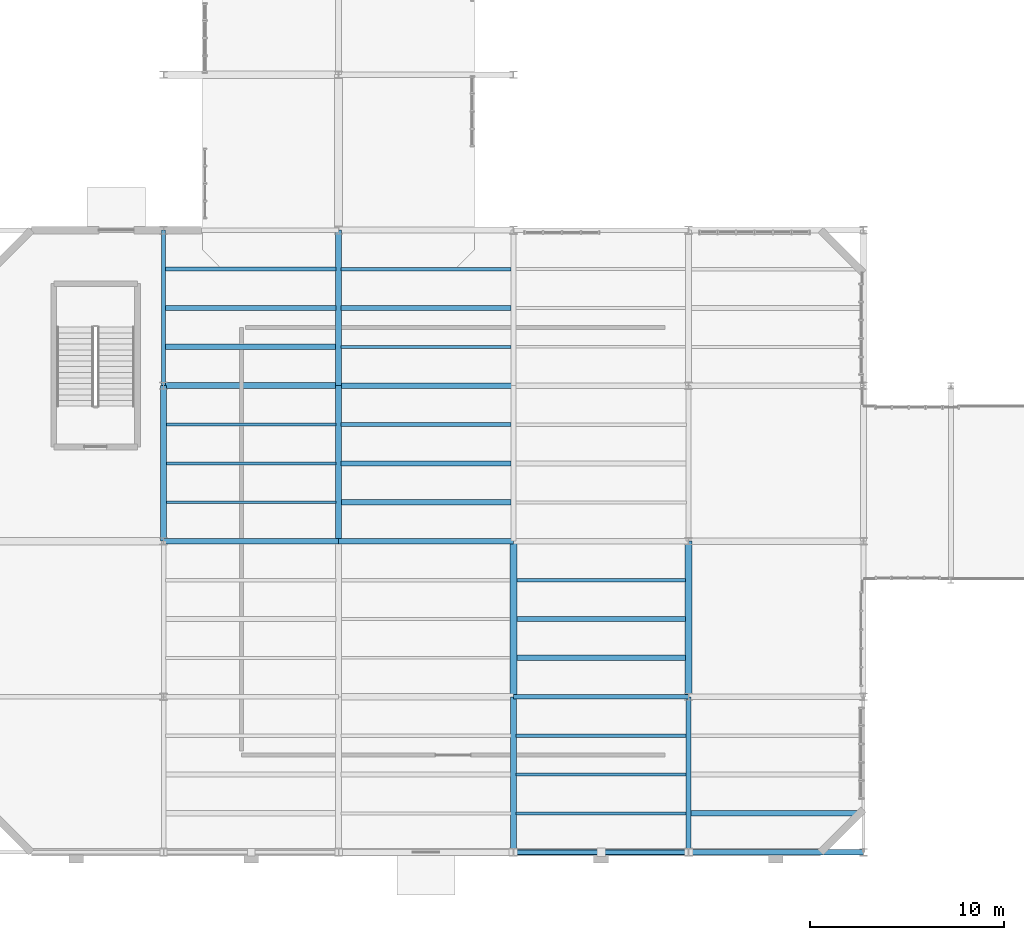
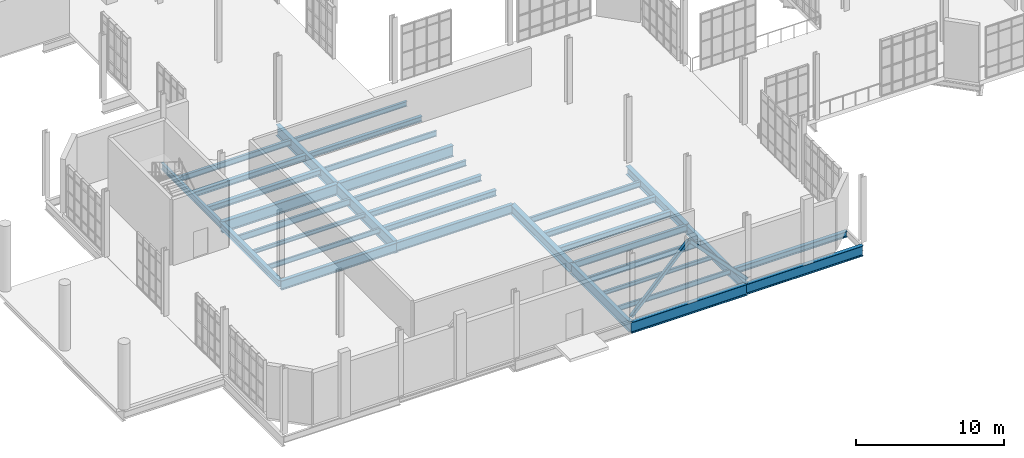
# One storey, part 20 of 189: 34 beams, 2 members.
"""IFC4 building model written with IfcOpenShell, lengths in metres."""

from ifc_helpers import new_model, si_unit, direction, frame, origin, origin_2d, place, context, subcontext, project, spatial, hollow_rectangle, i_section, extrude, material, material_profile, profile_set, type_object, element, save


model = new_model("IFC4")

# Units and contexts
model_context = context("Model", 3, precision=1e-05, world=origin(), true_north=direction((0.0, 1.0)))
body_context = subcontext(model_context, "Body", "Model", "MODEL_VIEW")
ifc_project = project(units=[si_unit("LENGTHUNIT", "METRE"), si_unit("AREAUNIT", "SQUARE_METRE"), si_unit("VOLUMEUNIT", "CUBIC_METRE"), si_unit("PLANEANGLEUNIT", "RADIAN"), si_unit("MASSUNIT", "GRAM", prefix="KILO"), si_unit("THERMODYNAMICTEMPERATUREUNIT", "KELVIN"), si_unit("POWERUNIT", "WATT")], contexts=[model_context])

# Site, building, storey
site_placement = place(None, origin())
site = spatial("IfcSite", under=ifc_project, at=site_placement, CompositionType="ELEMENT")
building_placement = place(site_placement, origin())
building = spatial("IfcBuilding", under=site, at=building_placement, Name="Zelmaris Science Centre", CompositionType="ELEMENT")
storey_placement = place(building_placement, origin())
storey = spatial("IfcBuildingStorey", under=building, at=storey_placement, Name="L00", CompositionType="ELEMENT", Elevation=0.0)

# Beams
ifc_material_1 = material(Name="Steel ASTM A992 Grade 50", Category="steel")
ifc_material_profile_1 = material_profile(ifc_material_1, i_section(OverallWidth=0.306884765625, OverallDepth=0.927001953125, WebThickness=0.019287109375, FlangeThickness=0.031982421875, FilletRadius=0.02392578125, at=origin_2d()), Name="W36X194")
ifc_profile_set_1 = profile_set([ifc_material_profile_1], Name="Steel ASTM A992 Grade 50")
beam_type_1 = type_object("IfcBeamType", Name="Beam G-03 W36X194", PredefinedType="BEAM", material=ifc_profile_set_1)
beam_1_placement = place(storey_placement, frame((18.0, 32.0, -0.7734375), z_axis=(1.0, 0.0, 0.0), x_axis=(0.0, 1.0, 0.0)))
element("IfcBeam", 1, at=beam_1_placement, inside=storey, type_object=beam_type_1, Name="L00 East-west girder 124", PredefinedType="BEAM", context=body_context, shape_type="SweptSolid", body=[
    extrude(i_section(OverallWidth=0.306884765625, OverallDepth=0.927001953125, WebThickness=0.019287109375, FlangeThickness=0.031982421875, FilletRadius=0.02392578125, at=origin_2d()), origin(), (0.0, 0.0, 1.0), 9.0),
])
ifc_material_profile_2 = material_profile(ifc_material_1, i_section(OverallWidth=0.304931640625, OverallDepth=0.9140625, WebThickness=0.0166015625, FlangeThickness=0.02587890625, FilletRadius=0.02392578125, at=origin_2d()), Name="W36X160")
ifc_profile_set_2 = profile_set([ifc_material_profile_2], Name="Steel ASTM A992 Grade 50")
beam_type_2 = type_object("IfcBeamType", Name="Beam G-04 W36X160", PredefinedType="BEAM", material=ifc_profile_set_2)
for number, where, z_axis, x_axis, name in (
    (2, (36.0, 8.0, -0.76708984375), (1.0, 0.0, 0.0), (0.0, 1.0, 0.0), "L00 East-west girder 94"),
    (3, (27.0, 32.0, -0.76708984375), (1.0, 0.0, 0.0), (0.0, 1.0, 0.0), "L00 East-west girder 125"),
):
    element("IfcBeam", number, at=place(storey_placement, frame(where, z_axis=z_axis, x_axis=x_axis)), inside=storey, type_object=beam_type_2, Name=name, PredefinedType="BEAM", context=body_context, shape_type="SweptSolid", body=[
        extrude(i_section(OverallWidth=0.304931640625, OverallDepth=0.9140625, WebThickness=0.0166015625, FlangeThickness=0.02587890625, FilletRadius=0.02392578125, at=origin_2d()), origin(), (0.0, 0.0, 1.0), 9.0),
    ])
ifc_material_profile_3 = material_profile(ifc_material_1, i_section(OverallWidth=0.294921875, OverallDepth=0.85107421875, WebThickness=0.01611328125, FlangeThickness=0.02685546875, FilletRadius=0.02001953125, at=origin_2d()), Name="W33X152")
ifc_profile_set_3 = profile_set([ifc_material_profile_3], Name="Steel ASTM A992 Grade 50")
beam_type_3 = type_object("IfcBeamType", Name="Beam G-06 W33X152", PredefinedType="BEAM", material=ifc_profile_set_3)
beam_2_placement = place(storey_placement, frame((45.0, 8.0, -0.735595703125), z_axis=(1.0, 0.0, 0.0), x_axis=(0.0, 1.0, 0.0)))
element("IfcBeam", 4, at=beam_2_placement, inside=storey, type_object=beam_type_3, Name="L00 East-west girder 95", PredefinedType="BEAM", context=body_context, shape_type="SweptSolid", body=[
    extrude(i_section(OverallWidth=0.294921875, OverallDepth=0.85107421875, WebThickness=0.01611328125, FlangeThickness=0.02685546875, FilletRadius=0.02001953125, at=origin_2d()), origin(), (0.0, 0.0, 1.0), 9.0),
])
ifc_material_profile_4 = material_profile(ifc_material_1, i_section(OverallWidth=0.31201171875, OverallDepth=0.5439453125, WebThickness=0.0126953125, FlangeThickness=0.020263671875, FilletRadius=0.013916015625, at=origin_2d()), Name="W21X101")
ifc_profile_set_4 = profile_set([ifc_material_profile_4], Name="Steel ASTM A992 Grade 50")
beam_type_4 = type_object("IfcBeamType", Name="Beam G-18 W21X101", PredefinedType="BEAM", material=ifc_profile_set_4)
beam_3_placement = place(storey_placement, frame((18.0, 24.0, -0.58203125), z_axis=(0.0, 1.0, 0.0), x_axis=(-1.0, 0.0, 0.0)))
element("IfcBeam", 5, at=beam_3_placement, inside=storey, type_object=beam_type_4, Name="L00 North-south girder 11", PredefinedType="BEAM", context=body_context, shape_type="SweptSolid", body=[
    extrude(i_section(OverallWidth=0.31201171875, OverallDepth=0.5439453125, WebThickness=0.0126953125, FlangeThickness=0.020263671875, FilletRadius=0.013916015625, at=origin_2d()), origin(), (0.0, 0.0, 1.0), 8.0),
])
ifc_material_profile_5 = material_profile(ifc_material_1, i_section(OverallWidth=0.2109375, OverallDepth=0.5380859375, WebThickness=0.01171875, FlangeThickness=0.018798828125, FilletRadius=0.013916015625, at=origin_2d()), Name="W21X73")
ifc_profile_set_5 = profile_set([ifc_material_profile_5], Name="Steel ASTM A992 Grade 50")
beam_type_5 = type_object("IfcBeamType", Name="Beam G-19 W21X73", PredefinedType="BEAM", material=ifc_profile_set_5)
beam_4_placement = place(storey_placement, frame((18.0, 32.0, -0.5791015625), z_axis=(0.0, 1.0, 0.0), x_axis=(-1.0, 0.0, 0.0)))
element("IfcBeam", 6, at=beam_4_placement, inside=storey, type_object=beam_type_5, Name="L00 North-south girder 12", PredefinedType="BEAM", context=body_context, shape_type="SweptSolid", body=[
    extrude(i_section(OverallWidth=0.2109375, OverallDepth=0.5380859375, WebThickness=0.01171875, FlangeThickness=0.018798828125, FilletRadius=0.013916015625, at=origin_2d()), origin(), (0.0, 0.0, 1.0), 8.0),
])
beam_5_placement = place(storey_placement, frame((36.0, 16.0, -0.5791015625), z_axis=(1.0, 0.0, 0.0), x_axis=(0.0, 1.0, 0.0)))
element("IfcBeam", 7, at=beam_5_placement, inside=storey, type_object=beam_type_5, Name="L00 East-west girder 105", PredefinedType="BEAM", context=body_context, shape_type="SweptSolid", body=[
    extrude(i_section(OverallWidth=0.2109375, OverallDepth=0.5380859375, WebThickness=0.01171875, FlangeThickness=0.018798828125, FilletRadius=0.013916015625, at=origin_2d()), origin(), (0.0, 0.0, 1.0), 9.0),
])
ifc_material_profile_6 = material_profile(ifc_material_1, i_section(OverallWidth=0.304931640625, OverallDepth=0.9189453125, WebThickness=0.017333984375, FlangeThickness=0.02783203125, FilletRadius=0.02392578125, at=origin_2d()), Name="W36X170")
ifc_profile_set_6 = profile_set([ifc_material_profile_6], Name="Steel ASTM A992 Grade 50")
beam_type_6 = type_object("IfcBeamType", Name="Beam G-26 W36X170", PredefinedType="BEAM", material=ifc_profile_set_6)
beam_6_placement = place(storey_placement, frame((27.0, 24.0, -0.76953125), z_axis=(0.0, 1.0, 0.0), x_axis=(-1.0, 0.0, 0.0)))
element("IfcBeam", 8, at=beam_6_placement, inside=storey, type_object=beam_type_6, Name="L00 North-south girder 15", PredefinedType="BEAM", context=body_context, shape_type="SweptSolid", body=[
    extrude(i_section(OverallWidth=0.304931640625, OverallDepth=0.9189453125, WebThickness=0.017333984375, FlangeThickness=0.02783203125, FilletRadius=0.02392578125, at=origin_2d()), origin(), (0.0, 0.0, 1.0), 8.0),
])
ifc_material_profile_7 = material_profile(ifc_material_1, i_section(OverallWidth=0.304931640625, OverallDepth=0.912109375, WebThickness=0.015869140625, FlangeThickness=0.02392578125, FilletRadius=0.02392578125, at=origin_2d()), Name="W36X150")
ifc_profile_set_7 = profile_set([ifc_material_profile_7], Name="Steel ASTM A992 Grade 50")
beam_type_7 = type_object("IfcBeamType", Name="Beam G-27 W36X150", PredefinedType="BEAM", material=ifc_profile_set_7)
beam_7_placement = place(storey_placement, frame((27.0, 32.0, -0.76611328125), z_axis=(0.0, 1.0, 0.0), x_axis=(-1.0, 0.0, 0.0)))
element("IfcBeam", 9, at=beam_7_placement, inside=storey, type_object=beam_type_7, Name="L00 North-south girder 16", PredefinedType="BEAM", context=body_context, shape_type="SweptSolid", body=[
    extrude(i_section(OverallWidth=0.304931640625, OverallDepth=0.912109375, WebThickness=0.015869140625, FlangeThickness=0.02392578125, FilletRadius=0.02392578125, at=origin_2d()), origin(), (0.0, 0.0, 1.0), 8.0),
])
ifc_material_profile_8 = material_profile(ifc_material_1, i_section(OverallWidth=0.2919921875, OverallDepth=0.8359375, WebThickness=0.013916015625, FlangeThickness=0.018798828125, FilletRadius=0.02001953125, at=origin_2d()), Name="W33X118")
ifc_profile_set_8 = profile_set([ifc_material_profile_8], Name="Steel ASTM A992 Grade 50")
beam_type_8 = type_object("IfcBeamType", Name="Beam G-30 W33X118", PredefinedType="BEAM", material=ifc_profile_set_8)
beam_8_placement = place(storey_placement, frame((36.0, 8.0, -0.72802734375), z_axis=(0.0, 1.0, 0.0), x_axis=(-1.0, 0.0, 0.0)))
element("IfcBeam", 10, at=beam_8_placement, inside=storey, type_object=beam_type_8, Name="L00 North-south girder 19", PredefinedType="BEAM", context=body_context, shape_type="SweptSolid", body=[
    extrude(i_section(OverallWidth=0.2919921875, OverallDepth=0.8359375, WebThickness=0.013916015625, FlangeThickness=0.018798828125, FilletRadius=0.02001953125, at=origin_2d()), origin(), (0.0, 0.0, 1.0), 8.0),
])
ifc_material_profile_9 = material_profile(ifc_material_1, i_section(OverallWidth=0.381103515625, OverallDepth=0.777099609375, WebThickness=0.01806640625, FlangeThickness=0.030029296875, FilletRadius=0.01904296875, at=origin_2d()), Name="W30X191")
ifc_profile_set_9 = profile_set([ifc_material_profile_9], Name="Steel ASTM A992 Grade 50")
beam_type_9 = type_object("IfcBeamType", Name="Beam G-31 W30X191", PredefinedType="BEAM", material=ifc_profile_set_9)
beam_9_placement = place(storey_placement, frame((36.0, 16.0, -0.698486328125), z_axis=(0.0, 1.0, 0.0), x_axis=(-1.0, 0.0, 0.0)))
element("IfcBeam", 11, at=beam_9_placement, inside=storey, type_object=beam_type_9, Name="L00 North-south girder 20", PredefinedType="BEAM", context=body_context, shape_type="SweptSolid", body=[
    extrude(i_section(OverallWidth=0.381103515625, OverallDepth=0.777099609375, WebThickness=0.01806640625, FlangeThickness=0.030029296875, FilletRadius=0.01904296875, at=origin_2d()), origin(), (0.0, 0.0, 1.0), 8.0),
])
ifc_material_profile_10 = material_profile(ifc_material_1, i_section(OverallWidth=0.26708984375, OverallDepth=0.780029296875, WebThickness=0.0166015625, FlangeThickness=0.030029296875, FilletRadius=0.01904296875, at=origin_2d()), Name="W30X148")
ifc_profile_set_10 = profile_set([ifc_material_profile_10], Name="Steel ASTM A992 Grade 50")
beam_type_10 = type_object("IfcBeamType", Name="Beam G-32 W30X148", PredefinedType="BEAM", material=ifc_profile_set_10)
beam_10_placement = place(storey_placement, frame((18.0, 24.0, -0.699951171875), z_axis=(1.0, 0.0, 0.0), x_axis=(0.0, 1.0, 0.0)))
element("IfcBeam", 12, at=beam_10_placement, inside=storey, type_object=beam_type_10, Name="L00 East-west girder 114", PredefinedType="BEAM", context=body_context, shape_type="SweptSolid", body=[
    extrude(i_section(OverallWidth=0.26708984375, OverallDepth=0.780029296875, WebThickness=0.0166015625, FlangeThickness=0.030029296875, FilletRadius=0.01904296875, at=origin_2d()), origin(), (0.0, 0.0, 1.0), 9.0),
])
ifc_material_profile_11 = material_profile(ifc_material_1, i_section(OverallWidth=0.26708984375, OverallDepth=0.761962890625, WebThickness=0.014404296875, FlangeThickness=0.021484375, FilletRadius=0.01904296875, at=origin_2d()), Name="W30X116")
ifc_profile_set_11 = profile_set([ifc_material_profile_11], Name="Steel ASTM A992 Grade 50")
beam_type_11 = type_object("IfcBeamType", Name="Beam G-33 W30X116", PredefinedType="BEAM", material=ifc_profile_set_11)
beam_11_placement = place(storey_placement, frame((27.0, 24.0, -0.69091796875), z_axis=(1.0, 0.0, 0.0), x_axis=(0.0, 1.0, 0.0)))
element("IfcBeam", 13, at=beam_11_placement, inside=storey, type_object=beam_type_11, Name="L00 East-west girder 115", PredefinedType="BEAM", context=body_context, shape_type="SweptSolid", body=[
    extrude(i_section(OverallWidth=0.26708984375, OverallDepth=0.761962890625, WebThickness=0.014404296875, FlangeThickness=0.021484375, FilletRadius=0.01904296875, at=origin_2d()), origin(), (0.0, 0.0, 1.0), 9.0),
])
ifc_material_profile_12 = material_profile(ifc_material_1, i_section(OverallWidth=0.26708984375, OverallDepth=0.75390625, WebThickness=0.01318359375, FlangeThickness=0.01708984375, FilletRadius=0.01904296875, at=origin_2d()), Name="W30X99")
ifc_profile_set_12 = profile_set([ifc_material_profile_12], Name="Steel ASTM A992 Grade 50")
beam_type_12 = type_object("IfcBeamType", Name="Beam G-34 W30X99", PredefinedType="BEAM", material=ifc_profile_set_12)
beam_12_placement = place(storey_placement, frame((45.0, 8.0, -0.68701171875), z_axis=(0.0, 1.0, 0.0), x_axis=(-1.0, 0.0, 0.0)))
element("IfcBeam", 14, at=beam_12_placement, inside=storey, type_object=beam_type_12, Name="L00 North-south girder 23", PredefinedType="BEAM", context=body_context, shape_type="SweptSolid", body=[
    extrude(i_section(OverallWidth=0.26708984375, OverallDepth=0.75390625, WebThickness=0.01318359375, FlangeThickness=0.01708984375, FilletRadius=0.01904296875, at=origin_2d()), origin(), (0.0, 0.0, 1.0), 8.0),
])
ifc_material_profile_13 = material_profile(ifc_material_1, i_section(OverallWidth=0.35595703125, OverallDepth=0.700927734375, WebThickness=0.016845703125, FlangeThickness=0.02734375, FilletRadius=0.01806640625, at=origin_2d()), Name="W27X161")
ifc_profile_set_13 = profile_set([ifc_material_profile_13], Name="Steel ASTM A992 Grade 50")
beam_type_13 = type_object("IfcBeamType", Name="Beam G-35 W27X161", PredefinedType="BEAM", material=ifc_profile_set_13)
beam_13_placement = place(storey_placement, frame((45.0, 16.0, -0.660400390625), z_axis=(0.0, 1.0, 0.0), x_axis=(-1.0, 0.0, 0.0)))
element("IfcBeam", 15, at=beam_13_placement, inside=storey, type_object=beam_type_13, Name="L00 North-south girder 24", PredefinedType="BEAM", context=body_context, shape_type="SweptSolid", body=[
    extrude(i_section(OverallWidth=0.35595703125, OverallDepth=0.700927734375, WebThickness=0.016845703125, FlangeThickness=0.02734375, FilletRadius=0.01806640625, at=origin_2d()), origin(), (0.0, 0.0, 1.0), 8.0),
])
ifc_material_profile_14 = material_profile(ifc_material_1, i_section(OverallWidth=0.16796875, OverallDepth=0.532958984375, WebThickness=0.01025390625, FlangeThickness=0.0166015625, FilletRadius=0.013916015625, at=origin_2d()), Name="W21X57")
ifc_profile_set_14 = profile_set([ifc_material_profile_14], Name="Steel ASTM A992 Grade 50")
beam_type_14 = type_object("IfcBeamType", Name="Beam J-01 W21X57", PredefinedType="JOIST", material=ifc_profile_set_14)
beam_14_placement = place(storey_placement, frame((18.14111328125, 30.0, -0.576416015625), z_axis=(1.0, 0.0, 0.0), x_axis=(0.0, 1.0, 0.0)))
element("IfcBeam", 16, at=beam_14_placement, inside=storey, type_object=beam_type_14, Name="L00 Composite floor joist 9", PredefinedType="JOIST", context=body_context, shape_type="SweptSolid", body=[
    extrude(i_section(OverallWidth=0.16796875, OverallDepth=0.532958984375, WebThickness=0.01025390625, FlangeThickness=0.0166015625, FilletRadius=0.013916015625, at=origin_2d()), origin(), (0.0, 0.0, 1.0), 8.721435546875),
])
beam_15_placement = place(storey_placement, frame((36.131103515625, 14.0, -0.576416015625), z_axis=(1.0, 0.0, 0.0), x_axis=(0.0, 1.0, 0.0)))
element("IfcBeam", 17, at=beam_15_placement, inside=storey, type_object=beam_type_14, Name="L00 Composite floor joist 27", PredefinedType="JOIST", context=body_context, shape_type="SweptSolid", body=[
    extrude(i_section(OverallWidth=0.16796875, OverallDepth=0.532958984375, WebThickness=0.01025390625, FlangeThickness=0.0166015625, FilletRadius=0.013916015625, at=origin_2d()), origin(), (0.0, 0.0, 1.0), 8.75048828125),
])
ifc_material_profile_15 = material_profile(ifc_material_1, i_section(OverallWidth=0.281982421875, OverallDepth=0.471923828125, WebThickness=0.013671875, FlangeThickness=0.022216796875, FilletRadius=0.012939453125, at=origin_2d()), Name="W18X97")
ifc_profile_set_15 = profile_set([ifc_material_profile_15], Name="Steel ASTM A992 Grade 50")
beam_type_15 = type_object("IfcBeamType", Name="Beam J-02 W18X97", PredefinedType="JOIST", material=ifc_profile_set_15)
beam_16_placement = place(storey_placement, frame((18.090576171875, 34.0, -0.5458984375), z_axis=(1.0, 0.0, 0.0), x_axis=(0.0, 1.0, 0.0)))
element("IfcBeam", 18, at=beam_16_placement, inside=storey, type_object=beam_type_15, Name="L00 Composite floor joist 10", PredefinedType="JOIST", context=body_context, shape_type="SweptSolid", body=[
    extrude(i_section(OverallWidth=0.281982421875, OverallDepth=0.471923828125, WebThickness=0.013671875, FlangeThickness=0.022216796875, FilletRadius=0.012939453125, at=origin_2d()), origin(), (0.0, 0.0, 1.0), 8.77197265625),
])
beam_17_placement = place(storey_placement, frame((27.137451171875, 26.0, -0.5458984375), z_axis=(1.0, 0.0, 0.0), x_axis=(0.0, 1.0, 0.0)))
element("IfcBeam", 19, at=beam_17_placement, inside=storey, type_object=beam_type_15, Name="L00 Composite floor joist 19", PredefinedType="JOIST", context=body_context, shape_type="SweptSolid", body=[
    extrude(i_section(OverallWidth=0.281982421875, OverallDepth=0.471923828125, WebThickness=0.013671875, FlangeThickness=0.022216796875, FilletRadius=0.012939453125, at=origin_2d()), origin(), (0.0, 0.0, 1.0), 8.744140625),
])
beam_18_placement = place(storey_placement, frame((36.175537109375, 18.0, -0.5458984375), z_axis=(1.0, 0.0, 0.0), x_axis=(0.0, 1.0, 0.0)))
element("IfcBeam", 20, at=beam_18_placement, inside=storey, type_object=beam_type_15, Name="L00 Composite floor joist 28", PredefinedType="JOIST", context=body_context, shape_type="SweptSolid", body=[
    extrude(i_section(OverallWidth=0.281982421875, OverallDepth=0.471923828125, WebThickness=0.013671875, FlangeThickness=0.022216796875, FilletRadius=0.012939453125, at=origin_2d()), origin(), (0.0, 0.0, 1.0), 8.661376953125),
])
beam_19_placement = place(storey_placement, frame((45.118408203125, 10.0, -0.5458984375), z_axis=(1.0, 0.0, 0.0), x_axis=(0.0, 1.0, 0.0)))
element("IfcBeam", 21, at=beam_19_placement, inside=storey, type_object=beam_type_15, Name="L00 Composite floor joist 37", PredefinedType="JOIST", context=body_context, shape_type="SweptSolid", body=[
    extrude(i_section(OverallWidth=0.281982421875, OverallDepth=0.471923828125, WebThickness=0.013671875, FlangeThickness=0.022216796875, FilletRadius=0.012939453125, at=origin_2d()), origin(), (0.0, 0.0, 1.0), 8.814208984375),
])
ifc_material_profile_16 = material_profile(ifc_material_1, i_section(OverallWidth=0.279052734375, OverallDepth=0.4619140625, WebThickness=0.0107421875, FlangeThickness=0.017333984375, FilletRadius=0.012939453125, at=origin_2d()), Name="W18X76")
ifc_profile_set_16 = profile_set([ifc_material_profile_16], Name="Steel ASTM A992 Grade 50")
beam_type_16 = type_object("IfcBeamType", Name="Beam J-03 W18X76", PredefinedType="JOIST", material=ifc_profile_set_16)
beam_20_placement = place(storey_placement, frame((18.090576171875, 36.0, -0.541015625), z_axis=(1.0, 0.0, 0.0), x_axis=(0.0, 1.0, 0.0)))
element("IfcBeam", 22, at=beam_20_placement, inside=storey, type_object=beam_type_16, Name="L00 Composite floor joist 11", PredefinedType="JOIST", context=body_context, shape_type="SweptSolid", body=[
    extrude(i_section(OverallWidth=0.279052734375, OverallDepth=0.4619140625, WebThickness=0.0107421875, FlangeThickness=0.017333984375, FilletRadius=0.012939453125, at=origin_2d()), origin(), (0.0, 0.0, 1.0), 8.77197265625),
])
beam_21_placement = place(storey_placement, frame((27.137451171875, 28.0, -0.541015625), z_axis=(1.0, 0.0, 0.0), x_axis=(0.0, 1.0, 0.0)))
element("IfcBeam", 23, at=beam_21_placement, inside=storey, type_object=beam_type_16, Name="L00 Composite floor joist 20", PredefinedType="JOIST", context=body_context, shape_type="SweptSolid", body=[
    extrude(i_section(OverallWidth=0.279052734375, OverallDepth=0.4619140625, WebThickness=0.0107421875, FlangeThickness=0.017333984375, FilletRadius=0.012939453125, at=origin_2d()), origin(), (0.0, 0.0, 1.0), 8.744140625),
])
beam_22_placement = place(storey_placement, frame((36.175537109375, 20.0, -0.541015625), z_axis=(1.0, 0.0, 0.0), x_axis=(0.0, 1.0, 0.0)))
element("IfcBeam", 24, at=beam_22_placement, inside=storey, type_object=beam_type_16, Name="L00 Composite floor joist 29", PredefinedType="JOIST", context=body_context, shape_type="SweptSolid", body=[
    extrude(i_section(OverallWidth=0.279052734375, OverallDepth=0.4619140625, WebThickness=0.0107421875, FlangeThickness=0.017333984375, FilletRadius=0.012939453125, at=origin_2d()), origin(), (0.0, 0.0, 1.0), 8.661376953125),
])
ifc_material_profile_17 = material_profile(ifc_material_1, i_section(OverallWidth=0.19091796875, OverallDepth=0.4599609375, WebThickness=0.010009765625, FlangeThickness=0.01611328125, FilletRadius=0.012939453125, at=origin_2d()), Name="W18X55")
ifc_profile_set_17 = profile_set([ifc_material_profile_17], Name="Steel ASTM A992 Grade 50")
beam_type_17 = type_object("IfcBeamType", Name="Beam J-04 W18X55", PredefinedType="JOIST", material=ifc_profile_set_17)
beam_23_placement = place(storey_placement, frame((18.090576171875, 38.0, -0.5400390625), z_axis=(1.0, 0.0, 0.0), x_axis=(0.0, 1.0, 0.0)))
element("IfcBeam", 25, at=beam_23_placement, inside=storey, type_object=beam_type_17, Name="L00 Composite floor joist 12", PredefinedType="JOIST", context=body_context, shape_type="SweptSolid", body=[
    extrude(i_section(OverallWidth=0.19091796875, OverallDepth=0.4599609375, WebThickness=0.010009765625, FlangeThickness=0.01611328125, FilletRadius=0.012939453125, at=origin_2d()), origin(), (0.0, 0.0, 1.0), 8.77197265625),
])
beam_24_placement = place(storey_placement, frame((27.137451171875, 30.0, -0.5400390625), z_axis=(1.0, 0.0, 0.0), x_axis=(0.0, 1.0, 0.0)))
element("IfcBeam", 26, at=beam_24_placement, inside=storey, type_object=beam_type_17, Name="L00 Composite floor joist 21", PredefinedType="JOIST", context=body_context, shape_type="SweptSolid", body=[
    extrude(i_section(OverallWidth=0.19091796875, OverallDepth=0.4599609375, WebThickness=0.010009765625, FlangeThickness=0.01611328125, FilletRadius=0.012939453125, at=origin_2d()), origin(), (0.0, 0.0, 1.0), 8.744140625),
])
beam_25_placement = place(storey_placement, frame((36.175537109375, 22.0, -0.5400390625), z_axis=(1.0, 0.0, 0.0), x_axis=(0.0, 1.0, 0.0)))
element("IfcBeam", 27, at=beam_25_placement, inside=storey, type_object=beam_type_17, Name="L00 Composite floor joist 30", PredefinedType="JOIST", context=body_context, shape_type="SweptSolid", body=[
    extrude(i_section(OverallWidth=0.19091796875, OverallDepth=0.4599609375, WebThickness=0.010009765625, FlangeThickness=0.01611328125, FilletRadius=0.012939453125, at=origin_2d()), origin(), (0.0, 0.0, 1.0), 8.661376953125),
])
ifc_material_profile_18 = material_profile(ifc_material_1, i_section(OverallWidth=0.152099609375, OverallDepth=0.455078125, WebThickness=0.008056640625, FlangeThickness=0.01318359375, FilletRadius=0.012939453125, at=origin_2d()), Name="W18X40")
ifc_profile_set_18 = profile_set([ifc_material_profile_18], Name="Steel ASTM A992 Grade 50")
beam_type_18 = type_object("IfcBeamType", Name="Beam J-05 W18X40", PredefinedType="JOIST", material=ifc_profile_set_18)
beam_26_placement = place(storey_placement, frame((27.137451171875, 34.0, -0.53759765625), z_axis=(1.0, 0.0, 0.0), x_axis=(0.0, 1.0, 0.0)))
element("IfcBeam", 28, at=beam_26_placement, inside=storey, type_object=beam_type_18, Name="L00 Composite floor joist 22", PredefinedType="JOIST", context=body_context, shape_type="SweptSolid", body=[
    extrude(i_section(OverallWidth=0.152099609375, OverallDepth=0.455078125, WebThickness=0.008056640625, FlangeThickness=0.01318359375, FilletRadius=0.012939453125, at=origin_2d()), origin(), (0.0, 0.0, 1.0), 8.744140625),
])
ifc_material_profile_19 = material_profile(ifc_material_1, i_section(OverallWidth=0.260009765625, OverallDepth=0.4140625, WebThickness=0.010009765625, FlangeThickness=0.016845703125, FilletRadius=0.011962890625, at=origin_2d()), Name="W16X67")
ifc_profile_set_19 = profile_set([ifc_material_profile_19], Name="Steel ASTM A992 Grade 50")
beam_type_19 = type_object("IfcBeamType", Name="Beam J-06 W16X67", PredefinedType="JOIST", material=ifc_profile_set_19)
beam_27_placement = place(storey_placement, frame((27.137451171875, 36.0, -0.51708984375), z_axis=(1.0, 0.0, 0.0), x_axis=(0.0, 1.0, 0.0)))
element("IfcBeam", 29, at=beam_27_placement, inside=storey, type_object=beam_type_19, Name="L00 Composite floor joist 23", PredefinedType="JOIST", context=body_context, shape_type="SweptSolid", body=[
    extrude(i_section(OverallWidth=0.260009765625, OverallDepth=0.4140625, WebThickness=0.010009765625, FlangeThickness=0.016845703125, FilletRadius=0.011962890625, at=origin_2d()), origin(), (0.0, 0.0, 1.0), 8.744140625),
])
ifc_material_profile_20 = material_profile(ifc_material_1, i_section(OverallWidth=0.177978515625, OverallDepth=0.408935546875, WebThickness=0.0087890625, FlangeThickness=0.014404296875, FilletRadius=0.011962890625, at=origin_2d()), Name="W16X45")
ifc_profile_set_20 = profile_set([ifc_material_profile_20], Name="Steel ASTM A992 Grade 50")
beam_type_20 = type_object("IfcBeamType", Name="Beam J-07 W16X45", PredefinedType="JOIST", material=ifc_profile_set_20)
beam_28_placement = place(storey_placement, frame((27.137451171875, 38.0, -0.514404296875), z_axis=(1.0, 0.0, 0.0), x_axis=(0.0, 1.0, 0.0)))
element("IfcBeam", 30, at=beam_28_placement, inside=storey, type_object=beam_type_20, Name="L00 Composite floor joist 24", PredefinedType="JOIST", context=body_context, shape_type="SweptSolid", body=[
    extrude(i_section(OverallWidth=0.177978515625, OverallDepth=0.408935546875, WebThickness=0.0087890625, FlangeThickness=0.014404296875, FilletRadius=0.011962890625, at=origin_2d()), origin(), (0.0, 0.0, 1.0), 8.744140625),
])
ifc_material_profile_21 = material_profile(ifc_material_1, i_section(OverallWidth=0.139892578125, OverallDepth=0.404052734375, WebThickness=0.007080078125, FlangeThickness=0.01123046875, FilletRadius=0.011962890625, at=origin_2d()), Name="W16X31")
ifc_profile_set_21 = profile_set([ifc_material_profile_21], Name="Steel ASTM A992 Grade 50")
beam_type_21 = type_object("IfcBeamType", Name="Beam J-08 W16X31", PredefinedType="JOIST", material=ifc_profile_set_21)
beam_29_placement = place(storey_placement, frame((18.14111328125, 26.0, -0.511962890625), z_axis=(1.0, 0.0, 0.0), x_axis=(0.0, 1.0, 0.0)))
element("IfcBeam", 31, at=beam_29_placement, inside=storey, type_object=beam_type_21, Name="L00 Composite floor joist 7", PredefinedType="JOIST", context=body_context, shape_type="SweptSolid", body=[
    extrude(i_section(OverallWidth=0.139892578125, OverallDepth=0.404052734375, WebThickness=0.007080078125, FlangeThickness=0.01123046875, FilletRadius=0.011962890625, at=origin_2d()), origin(), (0.0, 0.0, 1.0), 8.721435546875),
])
beam_30_placement = place(storey_placement, frame((36.131103515625, 10.0, -0.511962890625), z_axis=(1.0, 0.0, 0.0), x_axis=(0.0, 1.0, 0.0)))
element("IfcBeam", 32, at=beam_30_placement, inside=storey, type_object=beam_type_21, Name="L00 Composite floor joist 25", PredefinedType="JOIST", context=body_context, shape_type="SweptSolid", body=[
    extrude(i_section(OverallWidth=0.139892578125, OverallDepth=0.404052734375, WebThickness=0.007080078125, FlangeThickness=0.01123046875, FilletRadius=0.011962890625, at=origin_2d()), origin(), (0.0, 0.0, 1.0), 8.75048828125),
])
ifc_material_profile_22 = material_profile(ifc_material_1, i_section(OverallWidth=0.1669921875, OverallDepth=0.318115234375, WebThickness=0.007568359375, FlangeThickness=0.01318359375, FilletRadius=0.011962890625, at=origin_2d()), Name="W12X35")
ifc_profile_set_22 = profile_set([ifc_material_profile_22], Name="Steel ASTM A992 Grade 50")
beam_type_22 = type_object("IfcBeamType", Name="Beam J-09 W12X35", PredefinedType="JOIST", material=ifc_profile_set_22)
beam_31_placement = place(storey_placement, frame((18.14111328125, 28.0, -0.468994140625), z_axis=(1.0, 0.0, 0.0), x_axis=(0.0, 1.0, 0.0)))
element("IfcBeam", 33, at=beam_31_placement, inside=storey, type_object=beam_type_22, Name="L00 Composite floor joist 8", PredefinedType="JOIST", context=body_context, shape_type="SweptSolid", body=[
    extrude(i_section(OverallWidth=0.1669921875, OverallDepth=0.318115234375, WebThickness=0.007568359375, FlangeThickness=0.01318359375, FilletRadius=0.011962890625, at=origin_2d()), origin(), (0.0, 0.0, 1.0), 8.721435546875),
])
beam_32_placement = place(storey_placement, frame((36.131103515625, 12.0, -0.468994140625), z_axis=(1.0, 0.0, 0.0), x_axis=(0.0, 1.0, 0.0)))
element("IfcBeam", 34, at=beam_32_placement, inside=storey, type_object=beam_type_22, Name="L00 Composite floor joist 26", PredefinedType="JOIST", context=body_context, shape_type="SweptSolid", body=[
    extrude(i_section(OverallWidth=0.1669921875, OverallDepth=0.318115234375, WebThickness=0.007568359375, FlangeThickness=0.01318359375, FilletRadius=0.011962890625, at=origin_2d()), origin(), (0.0, 0.0, 1.0), 8.75048828125),
])

# Members
ifc_material_2 = material(Name="Steel ASTM A500 Grade C", Category="steel")
ifc_material_profile_23 = material_profile(ifc_material_2, hollow_rectangle(XDim=0.25390625, YDim=0.25390625, WallThickness=0.01171875, InnerFilletRadius=0.01171875, OuterFilletRadius=0.023681640625, at=origin_2d()), Name="HSS254X254X13")
ifc_profile_set_23 = profile_set([ifc_material_profile_23], Name="Steel ASTM A500 Grade C")
member_type = type_object("IfcMemberType", Name="Structural Brace BR-01 HSS254X254X13", PredefinedType="BRACE", material=ifc_profile_set_23)
for number, where, z_axis, x_axis, name in (
    (35, (36.0, 8.0, 0.080078125), (0.690040218266, 0.0, 0.723771025377), (0.0, 1.0, 0.0), "L00 Chevron brace BRF-V3S2 left"),
    (36, (45.0, 8.0, 0.080078125), (-0.690040218266, 0.0, 0.723771025377), (0.0, -1.0, 0.0), "L00 Chevron brace BRF-V3S2 right"),
):
    element("IfcMember", number, at=place(storey_placement, frame(where, z_axis=z_axis, x_axis=x_axis)), inside=storey, type_object=member_type, Name=name, PredefinedType="BRACE", context=body_context, shape_type="SweptSolid", body=[
        extrude(hollow_rectangle(XDim=0.25390625, YDim=0.25390625, WallThickness=0.01171875, InnerFilletRadius=0.01171875, OuterFilletRadius=0.023681640625, at=origin_2d()), origin(), (0.0, 0.0, 1.0), 6.521240234375),
    ])

save(model, "model.ifc")
